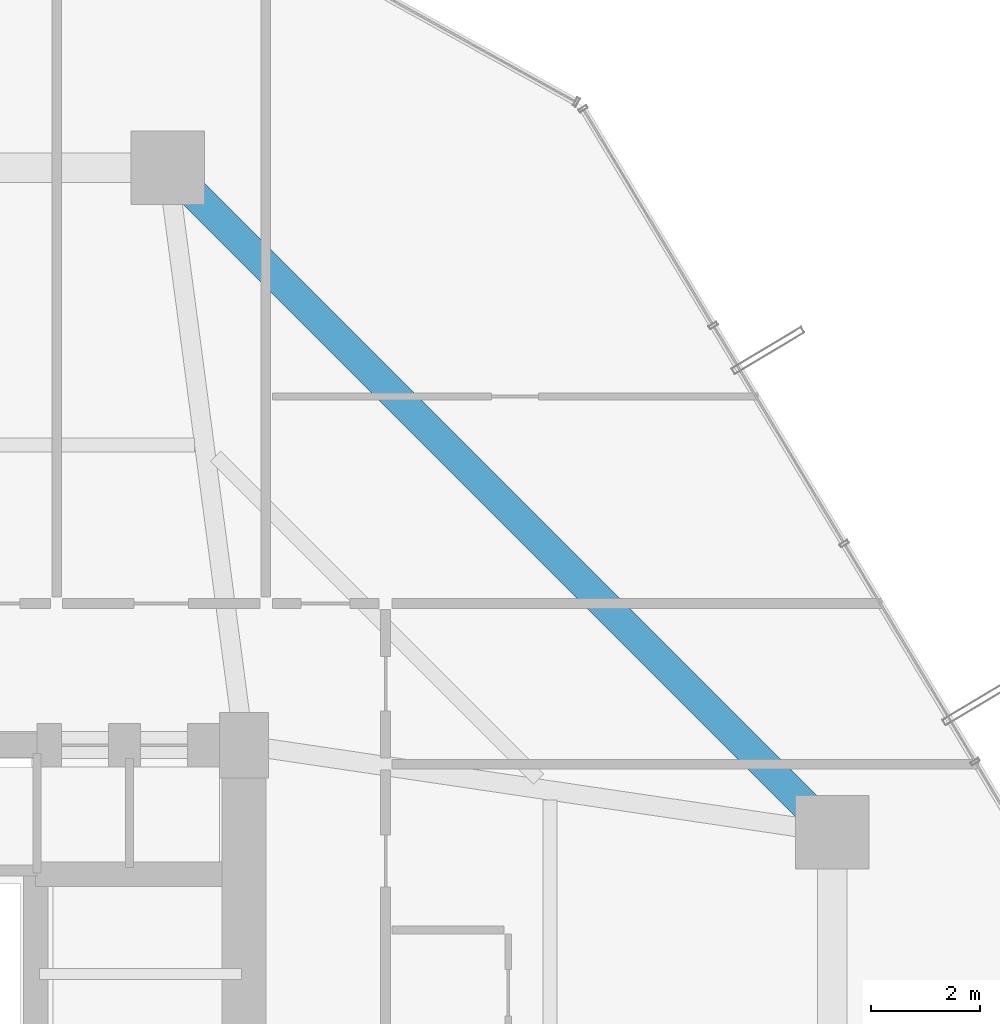
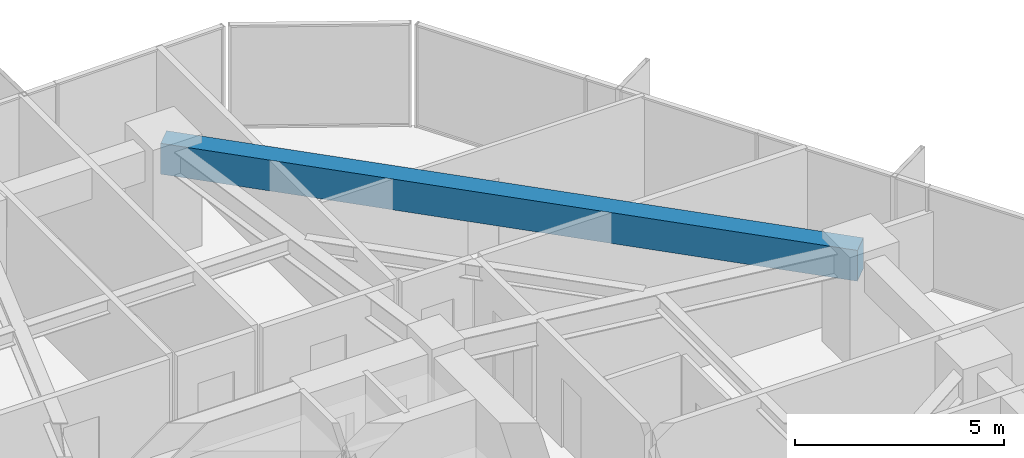
# One storey, part 30 of 39: 1 beam.
"""IFC4 building model written with IfcOpenShell, lengths in metres."""

from ifc_helpers import new_model, si_unit, direction, frame, origin, origin_2d, place, context, subcontext, project, spatial, rectangle, extrude, material, material_profile, profile_set, type_object, element, save


model = new_model("IFC4")

# Units and contexts
model_context = context("Model", 3, precision=1e-05, world=origin(), true_north=direction((0.0, 1.0)))
body_context = subcontext(model_context, "Body", "Model", "MODEL_VIEW")
ifc_project = project(units=[si_unit("LENGTHUNIT", "METRE"), si_unit("AREAUNIT", "SQUARE_METRE"), si_unit("VOLUMEUNIT", "CUBIC_METRE"), si_unit("PLANEANGLEUNIT", "RADIAN"), si_unit("MASSUNIT", "GRAM", prefix="KILO")], contexts=[model_context])

# Site, building, storey
site_placement = place(None, origin())
site = spatial("IfcSite", under=ifc_project, at=site_placement, CompositionType="ELEMENT")
building_placement = place(site_placement, origin())
building = spatial("IfcBuilding", under=site, at=building_placement, Name="Veraguas Prism Commons", CompositionType="ELEMENT")
storey_placement = place(building_placement, frame((0.0, 0.0, 27.300048828125)))
storey = spatial("IfcBuildingStorey", under=building, at=storey_placement, Name="L06", CompositionType="ELEMENT", Elevation=27.300048828125)

# Beam
ifc_material = material(Name="Concrete C50/60", Category="concrete")
ifc_material_profile = material_profile(ifc_material, rectangle(XDim=0.550048828125, YDim=0.89990234375, at=origin_2d()), Name="RC550X900")
ifc_profile_set = profile_set([ifc_material_profile], Name="Concrete C50/60")
beam_type = type_object("IfcBeamType", Name="Perimeter Spandrel Lower RC 550x900", PredefinedType="SPANDREL", material=ifc_profile_set)
beam_placement = place(storey_placement, frame((41.60009765625, 29.39990234375, 2.550048828125), z_axis=(-0.707106781187, 0.707106781187, 0.0), x_axis=(-0.707106781187, -0.707106781187, 0.0)))
element("IfcBeam", 1, at=beam_placement, inside=storey, type_object=beam_type, Name="Perimeter Spandrel Beam L06-SP03", PredefinedType="SPANDREL", context=body_context, shape_type="SweptSolid", body=[
    extrude(rectangle(XDim=0.550048828125, YDim=0.89990234375, at=origin_2d()), origin(), (0.0, 0.0, 1.0), 17.253662109375),
])

save(model, "model.ifc")
